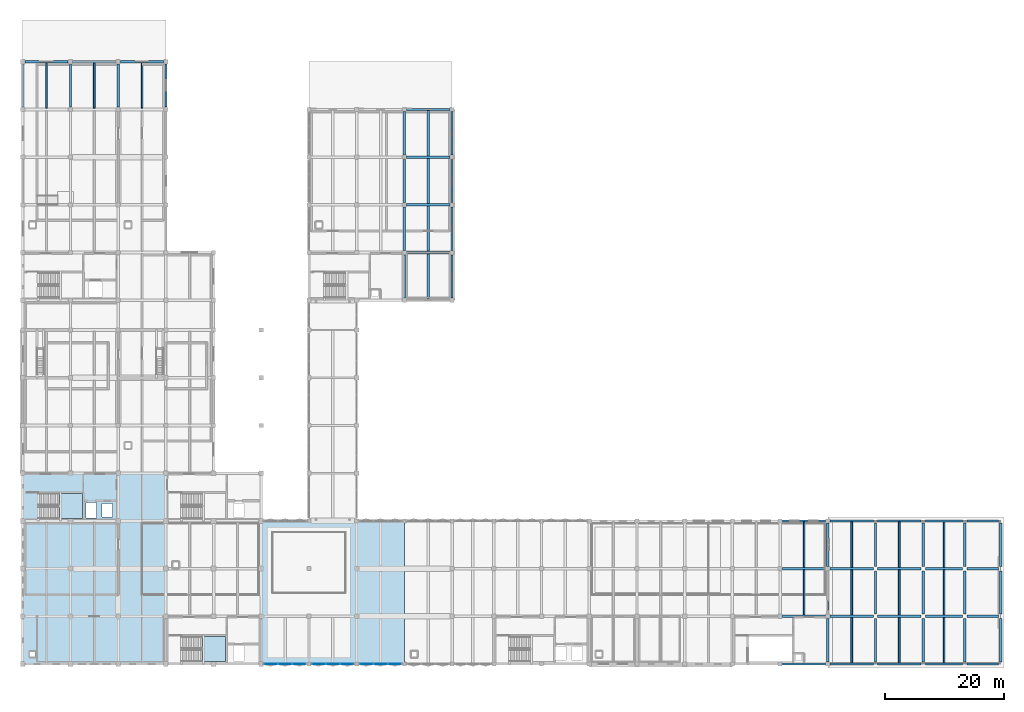
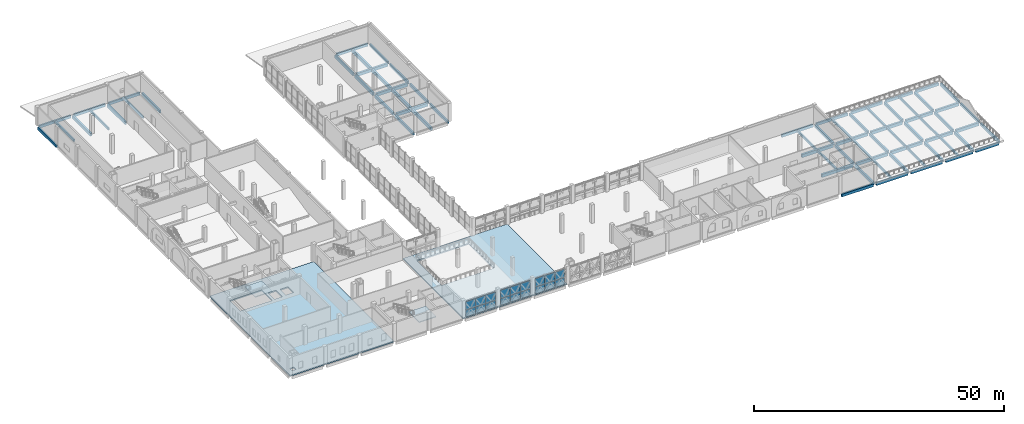
# One storey, part 19 of 45: 72 beams, 18 plates, 4 slabs, 5 elements without a shape of their own.
"""IFC4 building model written with IfcOpenShell, lengths in metres."""

from ifc_helpers import new_model, si_unit, direction, frame, origin, origin_2d, place, context, subcontext, project, spatial, polyline, rectangle, outline, extrude, material, layer, layer_set, material_profile, profile_set, type_object, element, aggregate, save


model = new_model("IFC4")

# Units and contexts
model_context = context("Model", 3, precision=1e-05, world=origin(), true_north=direction((0.0, 1.0)))
body_context = subcontext(model_context, "Body", "Model", "MODEL_VIEW")
ifc_project = project(units=[si_unit("LENGTHUNIT", "METRE"), si_unit("AREAUNIT", "SQUARE_METRE"), si_unit("VOLUMEUNIT", "CUBIC_METRE"), si_unit("PLANEANGLEUNIT", "RADIAN"), si_unit("MASSUNIT", "GRAM", prefix="KILO")], contexts=[model_context])

# Site, building, storey
site_placement = place(None, origin())
site = spatial("IfcSite", under=ifc_project, at=site_placement, CompositionType="ELEMENT")
building_placement = place(site_placement, origin())
building = spatial("IfcBuilding", under=site, at=building_placement, Name="Qorikala Patio Media Centre", CompositionType="ELEMENT")
storey_placement = place(building_placement, frame((0.0, 0.0, 9.89990234375)))
storey = spatial("IfcBuildingStorey", under=building, at=storey_placement, Name="L02", CompositionType="ELEMENT", Elevation=9.89990234375)

# Beams
ifc_material_1 = material(Name="Concrete C35/45", Category="concrete")
ifc_material_profile_1 = material_profile(ifc_material_1, rectangle(XDim=0.39990234375, YDim=0.699951171875, at=origin_2d()), Name="RC 400x700")
ifc_profile_set_1 = profile_set([ifc_material_profile_1], Name="Concrete C35/45")
beam_type_1 = type_object("IfcBeamType", Name="BM-G400X700", PredefinedType="BEAM", material=ifc_profile_set_1)
for number, where, z_axis, x_axis, name in (
    (1, (11.0, 96.375, -0.64990234375), (0.0, 1.0, 0.0), (-1.0, 0.0, 0.0), "L02 Grid X=11 Beam 0911"),
    (2, (19.0, 96.375, -0.64990234375), (0.0, 1.0, 0.0), (-1.0, 0.0, 0.0), "L02 Grid X=19 Beam 0921"),
    (3, (67.0, 64.375, -0.64990234375), (0.0, 1.0, 0.0), (-1.0, 0.0, 0.0), "L02 Grid X=67 Beam 0967"),
    (4, (67.0, 72.375, -0.64990234375), (0.0, 1.0, 0.0), (-1.0, 0.0, 0.0), "L02 Grid X=67 Beam 0968"),
    (5, (67.0, 80.375, -0.64990234375), (0.0, 1.0, 0.0), (-1.0, 0.0, 0.0), "L02 Grid X=67 Beam 0969"),
    (6, (67.0, 88.375, -0.64990234375), (0.0, 1.0, 0.0), (-1.0, 0.0, 0.0), "L02 Grid X=67 Beam 0970"),
    (7, (138.0, 3.375, -0.64990234375), (0.0, 1.0, 0.0), (-1.0, 0.0, 0.0), "L02 Grid X=138 Beam 0997"),
    (8, (138.0, 11.375, -0.64990234375), (0.0, 1.0, 0.0), (-1.0, 0.0, 0.0), "L02 Grid X=138 Beam 0998"),
    (9, (138.0, 19.375, -0.64990234375), (0.0, 1.0, 0.0), (-1.0, 0.0, 0.0), "L02 Grid X=138 Beam 0999"),
    (10, (146.0, 3.375, -0.64990234375), (0.0, 1.0, 0.0), (-1.0, 0.0, 0.0), "L02 Grid X=146 Beam 1000"),
    (11, (146.0, 11.375, -0.64990234375), (0.0, 1.0, 0.0), (-1.0, 0.0, 0.0), "L02 Grid X=146 Beam 1001"),
    (12, (146.0, 19.375, -0.64990234375), (0.0, 1.0, 0.0), (-1.0, 0.0, 0.0), "L02 Grid X=146 Beam 1002"),
    (13, (154.0, 3.375, -0.64990234375), (0.0, 1.0, 0.0), (-1.0, 0.0, 0.0), "L02 Grid X=154 Beam 1003"),
    (14, (154.0, 11.375, -0.64990234375), (0.0, 1.0, 0.0), (-1.0, 0.0, 0.0), "L02 Grid X=154 Beam 1004"),
    (15, (154.0, 19.375, -0.64990234375), (0.0, 1.0, 0.0), (-1.0, 0.0, 0.0), "L02 Grid X=154 Beam 1005"),
    (16, (161.0, 3.375, -0.64990234375), (0.0, 1.0, 0.0), (-1.0, 0.0, 0.0), "L02 Grid X=161 Beam 1006"),
    (17, (161.0, 11.375, -0.64990234375), (0.0, 1.0, 0.0), (-1.0, 0.0, 0.0), "L02 Grid X=161 Beam 1007"),
    (18, (161.0, 19.375, -0.64990234375), (0.0, 1.0, 0.0), (-1.0, 0.0, 0.0), "L02 Grid X=161 Beam 1008"),
):
    element("IfcBeam", number, at=place(storey_placement, frame(where, z_axis=z_axis, x_axis=x_axis)), inside=storey, type_object=beam_type_1, Name=name, PredefinedType="BEAM", context=body_context, shape_type="SweptSolid", body=[
        extrude(rectangle(XDim=0.39990234375, YDim=0.699951171875, at=origin_2d()), origin(), (0.0, 0.0, 1.0), 7.25),
    ])
ifc_material_profile_2 = material_profile(ifc_material_1, rectangle(XDim=0.449951171875, YDim=0.75, at=origin_2d()), Name="RC 450x750")
ifc_profile_set_2 = profile_set([ifc_material_profile_2], Name="Concrete C35/45")
beam_type_2 = type_object("IfcBeamType", Name="BM-G450X750", PredefinedType="BEAM", material=ifc_profile_set_2)
for number, where, z_axis, x_axis, name in (
    (19, (130.375, 11.0, -0.6748046875), (1.0, 0.0, 0.0), (0.0, 1.0, 0.0), "L02 Grid 11 Beam 0791"),
    (20, (138.375, 11.0, -0.6748046875), (1.0, 0.0, 0.0), (0.0, 1.0, 0.0), "L02 Grid 11 Beam 0792"),
    (21, (146.375, 11.0, -0.6748046875), (1.0, 0.0, 0.0), (0.0, 1.0, 0.0), "L02 Grid 11 Beam 0793"),
):
    element("IfcBeam", number, at=place(storey_placement, frame(where, z_axis=z_axis, x_axis=x_axis)), inside=storey, type_object=beam_type_2, Name=name, PredefinedType="BEAM", context=body_context, shape_type="SweptSolid", body=[
        extrude(rectangle(XDim=0.449951171875, YDim=0.75, at=origin_2d()), origin(), (0.0, 0.0, 1.0), 7.25),
    ])
beam_1_placement = place(storey_placement, frame((154.375, 11.0, -0.6748046875), z_axis=(1.0, 0.0, 0.0), x_axis=(0.0, 1.0, 0.0)))
element("IfcBeam", 22, at=beam_1_placement, inside=storey, type_object=beam_type_2, Name="L02 Grid 11 Beam 0794", PredefinedType="BEAM", context=body_context, shape_type="SweptSolid", body=[
    extrude(rectangle(XDim=0.449951171875, YDim=0.75, at=origin_2d()), origin(), (0.0, 0.0, 1.0), 6.25),
])
beam_2_placement = place(storey_placement, frame((161.375, 11.0, -0.6748046875), z_axis=(1.0, 0.0, 0.0), x_axis=(0.0, 1.0, 0.0)))
element("IfcBeam", 23, at=beam_2_placement, inside=storey, type_object=beam_type_2, Name="L02 Grid 11 Beam 0795", PredefinedType="BEAM", context=body_context, shape_type="SweptSolid", body=[
    extrude(rectangle(XDim=0.449951171875, YDim=0.75, at=origin_2d()), origin(), (0.0, 0.0, 1.0), 5.25),
])
for number, where, z_axis, x_axis, name in (
    (24, (130.375, 19.0, -0.6748046875), (1.0, 0.0, 0.0), (0.0, 1.0, 0.0), "L02 Grid 19 Beam 0808"),
    (25, (138.375, 19.0, -0.6748046875), (1.0, 0.0, 0.0), (0.0, 1.0, 0.0), "L02 Grid 19 Beam 0809"),
    (26, (146.375, 19.0, -0.6748046875), (1.0, 0.0, 0.0), (0.0, 1.0, 0.0), "L02 Grid 19 Beam 0810"),
):
    element("IfcBeam", number, at=place(storey_placement, frame(where, z_axis=z_axis, x_axis=x_axis)), inside=storey, type_object=beam_type_2, Name=name, PredefinedType="BEAM", context=body_context, shape_type="SweptSolid", body=[
        extrude(rectangle(XDim=0.449951171875, YDim=0.75, at=origin_2d()), origin(), (0.0, 0.0, 1.0), 7.25),
    ])
beam_3_placement = place(storey_placement, frame((154.375, 19.0, -0.6748046875), z_axis=(1.0, 0.0, 0.0), x_axis=(0.0, 1.0, 0.0)))
element("IfcBeam", 27, at=beam_3_placement, inside=storey, type_object=beam_type_2, Name="L02 Grid 19 Beam 0811", PredefinedType="BEAM", context=body_context, shape_type="SweptSolid", body=[
    extrude(rectangle(XDim=0.449951171875, YDim=0.75, at=origin_2d()), origin(), (0.0, 0.0, 1.0), 6.25),
])
beam_4_placement = place(storey_placement, frame((161.375, 19.0, -0.6748046875), z_axis=(1.0, 0.0, 0.0), x_axis=(0.0, 1.0, 0.0)))
element("IfcBeam", 28, at=beam_4_placement, inside=storey, type_object=beam_type_2, Name="L02 Grid 19 Beam 0812", PredefinedType="BEAM", context=body_context, shape_type="SweptSolid", body=[
    extrude(rectangle(XDim=0.449951171875, YDim=0.75, at=origin_2d()), origin(), (0.0, 0.0, 1.0), 5.25),
])
for number, where, z_axis, x_axis, name in (
    (29, (67.375, 72.0, -0.6748046875), (1.0, 0.0, 0.0), (0.0, 1.0, 0.0), "L02 Grid 72 Beam 0867"),
    (30, (67.375, 80.0, -0.6748046875), (1.0, 0.0, 0.0), (0.0, 1.0, 0.0), "L02 Grid 80 Beam 0873"),
    (31, (67.375, 88.0, -0.6748046875), (1.0, 0.0, 0.0), (0.0, 1.0, 0.0), "L02 Grid 88 Beam 0878"),
):
    element("IfcBeam", number, at=place(storey_placement, frame(where, z_axis=z_axis, x_axis=x_axis)), inside=storey, type_object=beam_type_2, Name=name, PredefinedType="BEAM", context=body_context, shape_type="SweptSolid", body=[
        extrude(rectangle(XDim=0.449951171875, YDim=0.75, at=origin_2d()), origin(), (0.0, 0.0, 1.0), 7.25),
    ])
ifc_material_profile_3 = material_profile(ifc_material_1, rectangle(XDim=0.300048828125, YDim=0.550048828125, at=origin_2d()), Name="RC 300x550")
ifc_profile_set_3 = profile_set([ifc_material_profile_3], Name="Concrete C35/45")
beam_type_3 = type_object("IfcBeamType", Name="JS-300X550", PredefinedType="JOIST", material=ifc_profile_set_3)
for number, where, z_axis, x_axis, name in (
    (32, (7.0, 96.22509765625, -0.574951171875), (0.0, 1.0, 0.0), (-1.0, 0.0, 0.0), "L02 Secondary Joist 1021"),
    (33, (15.0, 96.22509765625, -0.574951171875), (0.0, 1.0, 0.0), (-1.0, 0.0, 0.0), "L02 Secondary Joist 1031"),
    (34, (23.0, 96.22509765625, -0.574951171875), (0.0, 1.0, 0.0), (-1.0, 0.0, 0.0), "L02 Secondary Joist 1043"),
):
    element("IfcBeam", number, at=place(storey_placement, frame(where, z_axis=z_axis, x_axis=x_axis)), inside=storey, type_object=beam_type_3, Name=name, PredefinedType="JOIST", context=body_context, shape_type="SweptSolid", body=[
        extrude(rectangle(XDim=0.300048828125, YDim=0.550048828125, at=origin_2d()), origin(), (0.0, 0.0, 1.0), 7.599853515625),
    ])
beam_5_placement = place(storey_placement, frame((134.0, 11.22509765625, -0.574951171875), z_axis=(0.0, 1.0, 0.0), x_axis=(-1.0, 0.0, 0.0)))
element("IfcBeam", 35, at=beam_5_placement, inside=storey, type_object=beam_type_3, Name="L02 Secondary Joist 1092", PredefinedType="JOIST", context=body_context, shape_type="SweptSolid", body=[
    extrude(rectangle(XDim=0.300048828125, YDim=0.550048828125, at=origin_2d()), origin(), (0.0, 0.0, 1.0), 7.5498046875),
])
for number, where, z_axis, x_axis, name in (
    (36, (134.0, 19.22509765625, -0.574951171875), (0.0, 1.0, 0.0), (-1.0, 0.0, 0.0), "L02 Secondary Joist 1093"),
    (37, (142.0, 3.175048828125, -0.574951171875), (0.0, 1.0, 0.0), (-1.0, 0.0, 0.0), "L02 Secondary Joist 1094"),
):
    element("IfcBeam", number, at=place(storey_placement, frame(where, z_axis=z_axis, x_axis=x_axis)), inside=storey, type_object=beam_type_3, Name=name, PredefinedType="JOIST", context=body_context, shape_type="SweptSolid", body=[
        extrude(rectangle(XDim=0.300048828125, YDim=0.550048828125, at=origin_2d()), origin(), (0.0, 0.0, 1.0), 7.599853515625),
    ])
beam_6_placement = place(storey_placement, frame((142.0, 11.22509765625, -0.574951171875), z_axis=(0.0, 1.0, 0.0), x_axis=(-1.0, 0.0, 0.0)))
element("IfcBeam", 38, at=beam_6_placement, inside=storey, type_object=beam_type_3, Name="L02 Secondary Joist 1095", PredefinedType="JOIST", context=body_context, shape_type="SweptSolid", body=[
    extrude(rectangle(XDim=0.300048828125, YDim=0.550048828125, at=origin_2d()), origin(), (0.0, 0.0, 1.0), 7.5498046875),
])
for number, where, z_axis, x_axis, name in (
    (39, (142.0, 19.22509765625, -0.574951171875), (0.0, 1.0, 0.0), (-1.0, 0.0, 0.0), "L02 Secondary Joist 1096"),
    (40, (150.0, 3.175048828125, -0.574951171875), (0.0, 1.0, 0.0), (-1.0, 0.0, 0.0), "L02 Secondary Joist 1097"),
):
    element("IfcBeam", number, at=place(storey_placement, frame(where, z_axis=z_axis, x_axis=x_axis)), inside=storey, type_object=beam_type_3, Name=name, PredefinedType="JOIST", context=body_context, shape_type="SweptSolid", body=[
        extrude(rectangle(XDim=0.300048828125, YDim=0.550048828125, at=origin_2d()), origin(), (0.0, 0.0, 1.0), 7.599853515625),
    ])
beam_7_placement = place(storey_placement, frame((150.0, 11.22509765625, -0.574951171875), z_axis=(0.0, 1.0, 0.0), x_axis=(-1.0, 0.0, 0.0)))
element("IfcBeam", 41, at=beam_7_placement, inside=storey, type_object=beam_type_3, Name="L02 Secondary Joist 1098", PredefinedType="JOIST", context=body_context, shape_type="SweptSolid", body=[
    extrude(rectangle(XDim=0.300048828125, YDim=0.550048828125, at=origin_2d()), origin(), (0.0, 0.0, 1.0), 7.5498046875),
])
for number, where, z_axis, x_axis, name in (
    (42, (150.0, 19.22509765625, -0.574951171875), (0.0, 1.0, 0.0), (-1.0, 0.0, 0.0), "L02 Secondary Joist 1099"),
    (43, (157.5, 3.175048828125, -0.574951171875), (0.0, 1.0, 0.0), (-1.0, 0.0, 0.0), "L02 Secondary Joist 1100"),
):
    element("IfcBeam", number, at=place(storey_placement, frame(where, z_axis=z_axis, x_axis=x_axis)), inside=storey, type_object=beam_type_3, Name=name, PredefinedType="JOIST", context=body_context, shape_type="SweptSolid", body=[
        extrude(rectangle(XDim=0.300048828125, YDim=0.550048828125, at=origin_2d()), origin(), (0.0, 0.0, 1.0), 7.599853515625),
    ])
beam_8_placement = place(storey_placement, frame((157.5, 11.22509765625, -0.574951171875), z_axis=(0.0, 1.0, 0.0), x_axis=(-1.0, 0.0, 0.0)))
element("IfcBeam", 44, at=beam_8_placement, inside=storey, type_object=beam_type_3, Name="L02 Secondary Joist 1101", PredefinedType="JOIST", context=body_context, shape_type="SweptSolid", body=[
    extrude(rectangle(XDim=0.300048828125, YDim=0.550048828125, at=origin_2d()), origin(), (0.0, 0.0, 1.0), 7.5498046875),
])
beam_9_placement = place(storey_placement, frame((157.5, 19.22509765625, -0.574951171875), z_axis=(0.0, 1.0, 0.0), x_axis=(-1.0, 0.0, 0.0)))
element("IfcBeam", 45, at=beam_9_placement, inside=storey, type_object=beam_type_3, Name="L02 Secondary Joist 1102", PredefinedType="JOIST", context=body_context, shape_type="SweptSolid", body=[
    extrude(rectangle(XDim=0.300048828125, YDim=0.550048828125, at=origin_2d()), origin(), (0.0, 0.0, 1.0), 7.599853515625),
])
ifc_material_profile_4 = material_profile(ifc_material_1, rectangle(XDim=0.35009765625, YDim=0.679931640625, at=origin_2d()), Name="RC 350x680")
ifc_profile_set_4 = profile_set([ifc_material_profile_4], Name="Concrete C35/45")
beam_type_4 = type_object("IfcBeamType", Name="SP-350X680", PredefinedType="SPANDREL", material=ifc_profile_set_4)
for number, where, z_axis, x_axis, name in (
    (46, (130.375, 3.0, -0.639892578125), (1.0, 0.0, 0.0), (0.0, 1.0, 0.0), "L02 Grid 3 Beam 0771"),
    (47, (138.375, 3.0, -0.639892578125), (1.0, 0.0, 0.0), (0.0, 1.0, 0.0), "L02 Grid 3 Beam 0772"),
    (48, (146.375, 3.0, -0.639892578125), (1.0, 0.0, 0.0), (0.0, 1.0, 0.0), "L02 Grid 3 Beam 0773"),
):
    element("IfcBeam", number, at=place(storey_placement, frame(where, z_axis=z_axis, x_axis=x_axis)), inside=storey, type_object=beam_type_4, Name=name, PredefinedType="SPANDREL", context=body_context, shape_type="SweptSolid", body=[
        extrude(rectangle(XDim=0.35009765625, YDim=0.679931640625, at=origin_2d()), origin(), (0.0, 0.0, 1.0), 7.25),
    ])
beam_10_placement = place(storey_placement, frame((154.375, 3.0, -0.639892578125), z_axis=(1.0, 0.0, 0.0), x_axis=(0.0, 1.0, 0.0)))
element("IfcBeam", 49, at=beam_10_placement, inside=storey, type_object=beam_type_4, Name="L02 Grid 3 Beam 0774", PredefinedType="SPANDREL", context=body_context, shape_type="SweptSolid", body=[
    extrude(rectangle(XDim=0.35009765625, YDim=0.679931640625, at=origin_2d()), origin(), (0.0, 0.0, 1.0), 6.25),
])
beam_11_placement = place(storey_placement, frame((161.375, 3.0, -0.639892578125), z_axis=(1.0, 0.0, 0.0), x_axis=(0.0, 1.0, 0.0)))
element("IfcBeam", 50, at=beam_11_placement, inside=storey, type_object=beam_type_4, Name="L02 Grid 3 Beam 0775", PredefinedType="SPANDREL", context=body_context, shape_type="SweptSolid", body=[
    extrude(rectangle(XDim=0.35009765625, YDim=0.679931640625, at=origin_2d()), origin(), (0.0, 0.0, 1.0), 5.25),
])
for number, where, z_axis, x_axis, name in (
    (51, (130.375, 27.0, -0.639892578125), (1.0, 0.0, 0.0), (0.0, 1.0, 0.0), "L02 Grid 27 Beam 0829"),
    (52, (138.375, 27.0, -0.639892578125), (1.0, 0.0, 0.0), (0.0, 1.0, 0.0), "L02 Grid 27 Beam 0830"),
    (53, (146.375, 27.0, -0.639892578125), (1.0, 0.0, 0.0), (0.0, 1.0, 0.0), "L02 Grid 27 Beam 0831"),
):
    element("IfcBeam", number, at=place(storey_placement, frame(where, z_axis=z_axis, x_axis=x_axis)), inside=storey, type_object=beam_type_4, Name=name, PredefinedType="SPANDREL", context=body_context, shape_type="SweptSolid", body=[
        extrude(rectangle(XDim=0.35009765625, YDim=0.679931640625, at=origin_2d()), origin(), (0.0, 0.0, 1.0), 7.25),
    ])
beam_12_placement = place(storey_placement, frame((154.375, 27.0, -0.639892578125), z_axis=(1.0, 0.0, 0.0), x_axis=(0.0, 1.0, 0.0)))
element("IfcBeam", 54, at=beam_12_placement, inside=storey, type_object=beam_type_4, Name="L02 Grid 27 Beam 0832", PredefinedType="SPANDREL", context=body_context, shape_type="SweptSolid", body=[
    extrude(rectangle(XDim=0.35009765625, YDim=0.679931640625, at=origin_2d()), origin(), (0.0, 0.0, 1.0), 6.25),
])
beam_13_placement = place(storey_placement, frame((161.375, 27.0, -0.639892578125), z_axis=(1.0, 0.0, 0.0), x_axis=(0.0, 1.0, 0.0)))
element("IfcBeam", 55, at=beam_13_placement, inside=storey, type_object=beam_type_4, Name="L02 Grid 27 Beam 0833", PredefinedType="SPANDREL", context=body_context, shape_type="SweptSolid", body=[
    extrude(rectangle(XDim=0.35009765625, YDim=0.679931640625, at=origin_2d()), origin(), (0.0, 0.0, 1.0), 5.25),
])
for number, where, z_axis, x_axis, name in (
    (56, (67.375, 96.0, -0.639892578125), (1.0, 0.0, 0.0), (0.0, 1.0, 0.0), "L02 Grid 96 Beam 0884"),
    (57, (3.375, 104.0, -0.639892578125), (1.0, 0.0, 0.0), (0.0, 1.0, 0.0), "L02 Grid 104 Beam 0885"),
    (58, (11.375, 104.0, -0.639892578125), (1.0, 0.0, 0.0), (0.0, 1.0, 0.0), "L02 Grid 104 Beam 0886"),
    (59, (19.375, 104.0, -0.639892578125), (1.0, 0.0, 0.0), (0.0, 1.0, 0.0), "L02 Grid 104 Beam 0887"),
    (60, (3.0, 96.375, -0.639892578125), (0.0, 1.0, 0.0), (-1.0, 0.0, 0.0), "L02 Grid X=3 Beam 0900"),
    (61, (27.0, 96.375, -0.639892578125), (0.0, 1.0, 0.0), (-1.0, 0.0, 0.0), "L02 Grid X=27 Beam 0934"),
    (62, (75.0, 64.375, -0.639892578125), (0.0, 1.0, 0.0), (-1.0, 0.0, 0.0), "L02 Grid X=75 Beam 0974"),
    (63, (75.0, 72.375, -0.639892578125), (0.0, 1.0, 0.0), (-1.0, 0.0, 0.0), "L02 Grid X=75 Beam 0975"),
    (64, (75.0, 80.375, -0.639892578125), (0.0, 1.0, 0.0), (-1.0, 0.0, 0.0), "L02 Grid X=75 Beam 0976"),
    (65, (75.0, 88.375, -0.639892578125), (0.0, 1.0, 0.0), (-1.0, 0.0, 0.0), "L02 Grid X=75 Beam 0977"),
    (66, (167.0, 3.375, -0.639892578125), (0.0, 1.0, 0.0), (-1.0, 0.0, 0.0), "L02 Grid X=167 Beam 1009"),
    (67, (167.0, 11.375, -0.639892578125), (0.0, 1.0, 0.0), (-1.0, 0.0, 0.0), "L02 Grid X=167 Beam 1010"),
    (68, (167.0, 19.375, -0.639892578125), (0.0, 1.0, 0.0), (-1.0, 0.0, 0.0), "L02 Grid X=167 Beam 1011"),
):
    element("IfcBeam", number, at=place(storey_placement, frame(where, z_axis=z_axis, x_axis=x_axis)), inside=storey, type_object=beam_type_4, Name=name, PredefinedType="SPANDREL", context=body_context, shape_type="SweptSolid", body=[
        extrude(rectangle(XDim=0.35009765625, YDim=0.679931640625, at=origin_2d()), origin(), (0.0, 0.0, 1.0), 7.25),
    ])
ifc_material_profile_5 = material_profile(ifc_material_1, rectangle(XDim=0.419921875, YDim=0.780029296875, at=origin_2d()), Name="RC 420x780")
ifc_profile_set_5 = profile_set([ifc_material_profile_5], Name="Concrete C35/45")
beam_type_5 = type_object("IfcBeamType", Name="TB-420X780", PredefinedType="T_BEAM", material=ifc_profile_set_5)
beam_14_placement = place(storey_placement, frame((71.0, 64.175048828125, -0.68994140625), z_axis=(0.0, 1.0, 0.0), x_axis=(-1.0, 0.0, 0.0)))
element("IfcBeam", 69, at=beam_14_placement, inside=storey, type_object=beam_type_5, Name="L02 Secondary Joist 1070", PredefinedType="T_BEAM", context=body_context, shape_type="SweptSolid", body=[
    extrude(rectangle(XDim=0.419921875, YDim=0.780029296875, at=origin_2d()), origin(), (0.0, 0.0, 1.0), 7.599853515625),
])
for number, where, z_axis, x_axis, name in (
    (70, (71.0, 72.22509765625, -0.68994140625), (0.0, 1.0, 0.0), (-1.0, 0.0, 0.0), "L02 Secondary Joist 1071"),
    (71, (71.0, 80.22509765625, -0.68994140625), (0.0, 1.0, 0.0), (-1.0, 0.0, 0.0), "L02 Secondary Joist 1072"),
):
    element("IfcBeam", number, at=place(storey_placement, frame(where, z_axis=z_axis, x_axis=x_axis)), inside=storey, type_object=beam_type_5, Name=name, PredefinedType="T_BEAM", context=body_context, shape_type="SweptSolid", body=[
        extrude(rectangle(XDim=0.419921875, YDim=0.780029296875, at=origin_2d()), origin(), (0.0, 0.0, 1.0), 7.5498046875),
    ])
beam_15_placement = place(storey_placement, frame((71.0, 88.22509765625, -0.68994140625), z_axis=(0.0, 1.0, 0.0), x_axis=(-1.0, 0.0, 0.0)))
element("IfcBeam", 72, at=beam_15_placement, inside=storey, type_object=beam_type_5, Name="L02 Secondary Joist 1073", PredefinedType="T_BEAM", context=body_context, shape_type="SweptSolid", body=[
    extrude(rectangle(XDim=0.419921875, YDim=0.780029296875, at=origin_2d()), origin(), (0.0, 0.0, 1.0), 7.599853515625),
])

# Curtain wall, plates
ifc_material_2 = material(Name="Golden Bronze Anodised Aluminium and Low-E Glass", Category="aluminium")
ifc_layer_1 = layer(ifc_material_2, 0.159912109375)
ifc_layer_set_1 = layer_set([ifc_layer_1], Name="Golden Bronze Anodised Aluminium and Low-E Glass")
curtain_wall_type = type_object("IfcCurtainWallType", Name="CW-DIA-696X385", PredefinedType="USERDEFINED", material=ifc_layer_set_1)
curtain_wall_1_placement = place(storey_placement, origin())
curtain_wall_1 = element("IfcCurtainWall", 73, at=curtain_wall_1_placement, inside=storey, type_object=curtain_wall_type, Name="L02 Courtyard Curtain Wall 042", ObjectType="COURTYARD CURTAIN WALL", PredefinedType="USERDEFINED")
ifc_material_3 = material(Name="Solar-Control Diamond Facet Glass", Category="glass")
ifc_layer_2 = layer(ifc_material_3, 0.035888671875)
ifc_layer_set_2 = layer_set([ifc_layer_2], Name="Solar-Control Diamond Facet Glass")
plate_type = type_object("IfcPlateType", Name="CWP-36", PredefinedType="CURTAIN_PANEL", material=ifc_layer_set_2)
plate_1_placement = place(storey_placement, frame((65.3037109375, 3.0, 0.06494140625), z_axis=(0.0, 0.0, 1.0), x_axis=(-1.0, 0.0, 0.0)))
plate_1 = element("IfcPlate", 74, at=plate_1_placement, type_object=plate_type, Name="CWD696385 panel 1.1", PredefinedType="CURTAIN_PANEL", context=body_context, shape_type="SweptSolid", body=[
    extrude(rectangle(XDim=2.222412109375, YDim=0.035888671875, at=origin_2d()), origin(), (0.0, 0.0, 1.0), 1.635009765625),
])
plate_2_placement = place(storey_placement, frame((65.3037109375, 3.0, 1.76513671875), z_axis=(0.0, 0.0, 1.0), x_axis=(-1.0, 0.0, 0.0)))
plate_2 = element("IfcPlate", 75, at=plate_2_placement, type_object=plate_type, Name="CWD696385 panel 1.2", PredefinedType="CURTAIN_PANEL", context=body_context, shape_type="SweptSolid", body=[
    extrude(rectangle(XDim=2.222412109375, YDim=0.035888671875, at=origin_2d()), origin(), (0.0, 0.0, 1.0), 2.02001953125),
])
plate_3_placement = place(storey_placement, frame((63.0, 3.0, 0.06494140625), z_axis=(0.0, 0.0, 1.0), x_axis=(-1.0, 0.0, 0.0)))
plate_3 = element("IfcPlate", 76, at=plate_3_placement, type_object=plate_type, Name="CWD696385 panel 2.1", PredefinedType="CURTAIN_PANEL", context=body_context, shape_type="SweptSolid", body=[
    extrude(rectangle(XDim=2.2548828125, YDim=0.035888671875, at=origin_2d()), origin(), (0.0, 0.0, 1.0), 1.635009765625),
])
plate_4_placement = place(storey_placement, frame((63.0, 3.0, 1.76513671875), z_axis=(0.0, 0.0, 1.0), x_axis=(-1.0, 0.0, 0.0)))
plate_4 = element("IfcPlate", 77, at=plate_4_placement, type_object=plate_type, Name="CWD696385 panel 2.2", PredefinedType="CURTAIN_PANEL", context=body_context, shape_type="SweptSolid", body=[
    extrude(rectangle(XDim=2.2548828125, YDim=0.035888671875, at=origin_2d()), origin(), (0.0, 0.0, 1.0), 2.02001953125),
])
plate_5_placement = place(storey_placement, frame((60.6962890625, 3.0, 0.06494140625), z_axis=(0.0, 0.0, 1.0), x_axis=(-1.0, 0.0, 0.0)))
plate_5 = element("IfcPlate", 78, at=plate_5_placement, type_object=plate_type, Name="CWD696385 panel 3.1", PredefinedType="CURTAIN_PANEL", context=body_context, shape_type="SweptSolid", body=[
    extrude(rectangle(XDim=2.222412109375, YDim=0.035888671875, at=origin_2d()), origin(), (0.0, 0.0, 1.0), 1.635009765625),
])
plate_6_placement = place(storey_placement, frame((60.6962890625, 3.0, 1.76513671875), z_axis=(0.0, 0.0, 1.0), x_axis=(-1.0, 0.0, 0.0)))
plate_6 = element("IfcPlate", 79, at=plate_6_placement, type_object=plate_type, Name="CWD696385 panel 3.2", PredefinedType="CURTAIN_PANEL", context=body_context, shape_type="SweptSolid", body=[
    extrude(rectangle(XDim=2.222412109375, YDim=0.035888671875, at=origin_2d()), origin(), (0.0, 0.0, 1.0), 2.02001953125),
])
aggregate(curtain_wall_1, [plate_1, plate_2, plate_3, plate_4, plate_5, plate_6])

curtain_wall_2_placement = place(storey_placement, origin())
curtain_wall_2 = element("IfcCurtainWall", 80, at=curtain_wall_2_placement, inside=storey, type_object=curtain_wall_type, Name="L02 Courtyard Curtain Wall 043", ObjectType="COURTYARD CURTAIN WALL", PredefinedType="USERDEFINED")
plate_7_placement = place(storey_placement, frame((57.3037109375, 3.0, 0.06494140625), z_axis=(0.0, 0.0, 1.0), x_axis=(-1.0, 0.0, 0.0)))
plate_7 = element("IfcPlate", 81, at=plate_7_placement, type_object=plate_type, Name="CWD696385 panel 1.1", PredefinedType="CURTAIN_PANEL", context=body_context, shape_type="SweptSolid", body=[
    extrude(rectangle(XDim=2.222412109375, YDim=0.035888671875, at=origin_2d()), origin(), (0.0, 0.0, 1.0), 1.635009765625),
])
plate_8_placement = place(storey_placement, frame((57.3037109375, 3.0, 1.76513671875), z_axis=(0.0, 0.0, 1.0), x_axis=(-1.0, 0.0, 0.0)))
plate_8 = element("IfcPlate", 82, at=plate_8_placement, type_object=plate_type, Name="CWD696385 panel 1.2", PredefinedType="CURTAIN_PANEL", context=body_context, shape_type="SweptSolid", body=[
    extrude(rectangle(XDim=2.222412109375, YDim=0.035888671875, at=origin_2d()), origin(), (0.0, 0.0, 1.0), 2.02001953125),
])
plate_9_placement = place(storey_placement, frame((55.0, 3.0, 0.06494140625), z_axis=(0.0, 0.0, 1.0), x_axis=(-1.0, 0.0, 0.0)))
plate_9 = element("IfcPlate", 83, at=plate_9_placement, type_object=plate_type, Name="CWD696385 panel 2.1", PredefinedType="CURTAIN_PANEL", context=body_context, shape_type="SweptSolid", body=[
    extrude(rectangle(XDim=2.2548828125, YDim=0.035888671875, at=origin_2d()), origin(), (0.0, 0.0, 1.0), 1.635009765625),
])
plate_10_placement = place(storey_placement, frame((55.0, 3.0, 1.76513671875), z_axis=(0.0, 0.0, 1.0), x_axis=(-1.0, 0.0, 0.0)))
plate_10 = element("IfcPlate", 84, at=plate_10_placement, type_object=plate_type, Name="CWD696385 panel 2.2", PredefinedType="CURTAIN_PANEL", context=body_context, shape_type="SweptSolid", body=[
    extrude(rectangle(XDim=2.2548828125, YDim=0.035888671875, at=origin_2d()), origin(), (0.0, 0.0, 1.0), 2.02001953125),
])
plate_11_placement = place(storey_placement, frame((52.6962890625, 3.0, 0.06494140625), z_axis=(0.0, 0.0, 1.0), x_axis=(-1.0, 0.0, 0.0)))
plate_11 = element("IfcPlate", 85, at=plate_11_placement, type_object=plate_type, Name="CWD696385 panel 3.1", PredefinedType="CURTAIN_PANEL", context=body_context, shape_type="SweptSolid", body=[
    extrude(rectangle(XDim=2.222412109375, YDim=0.035888671875, at=origin_2d()), origin(), (0.0, 0.0, 1.0), 1.635009765625),
])
plate_12_placement = place(storey_placement, frame((52.6962890625, 3.0, 1.76513671875), z_axis=(0.0, 0.0, 1.0), x_axis=(-1.0, 0.0, 0.0)))
plate_12 = element("IfcPlate", 86, at=plate_12_placement, type_object=plate_type, Name="CWD696385 panel 3.2", PredefinedType="CURTAIN_PANEL", context=body_context, shape_type="SweptSolid", body=[
    extrude(rectangle(XDim=2.222412109375, YDim=0.035888671875, at=origin_2d()), origin(), (0.0, 0.0, 1.0), 2.02001953125),
])
aggregate(curtain_wall_2, [plate_7, plate_8, plate_9, plate_10, plate_11, plate_12])

curtain_wall_3_placement = place(storey_placement, origin())
curtain_wall_3 = element("IfcCurtainWall", 87, at=curtain_wall_3_placement, inside=storey, type_object=curtain_wall_type, Name="L02 Courtyard Curtain Wall 044", ObjectType="COURTYARD CURTAIN WALL", PredefinedType="USERDEFINED")
plate_13_placement = place(storey_placement, frame((49.3037109375, 3.0, 0.06494140625), z_axis=(0.0, 0.0, 1.0), x_axis=(-1.0, 0.0, 0.0)))
plate_13 = element("IfcPlate", 88, at=plate_13_placement, type_object=plate_type, Name="CWD696385 panel 1.1", PredefinedType="CURTAIN_PANEL", context=body_context, shape_type="SweptSolid", body=[
    extrude(rectangle(XDim=2.222412109375, YDim=0.035888671875, at=origin_2d()), origin(), (0.0, 0.0, 1.0), 1.635009765625),
])
plate_14_placement = place(storey_placement, frame((49.3037109375, 3.0, 1.76513671875), z_axis=(0.0, 0.0, 1.0), x_axis=(-1.0, 0.0, 0.0)))
plate_14 = element("IfcPlate", 89, at=plate_14_placement, type_object=plate_type, Name="CWD696385 panel 1.2", PredefinedType="CURTAIN_PANEL", context=body_context, shape_type="SweptSolid", body=[
    extrude(rectangle(XDim=2.222412109375, YDim=0.035888671875, at=origin_2d()), origin(), (0.0, 0.0, 1.0), 2.02001953125),
])
plate_15_placement = place(storey_placement, frame((47.0, 3.0, 0.06494140625), z_axis=(0.0, 0.0, 1.0), x_axis=(-1.0, 0.0, 0.0)))
plate_15 = element("IfcPlate", 90, at=plate_15_placement, type_object=plate_type, Name="CWD696385 panel 2.1", PredefinedType="CURTAIN_PANEL", context=body_context, shape_type="SweptSolid", body=[
    extrude(rectangle(XDim=2.2548828125, YDim=0.035888671875, at=origin_2d()), origin(), (0.0, 0.0, 1.0), 1.635009765625),
])
plate_16_placement = place(storey_placement, frame((47.0, 3.0, 1.76513671875), z_axis=(0.0, 0.0, 1.0), x_axis=(-1.0, 0.0, 0.0)))
plate_16 = element("IfcPlate", 91, at=plate_16_placement, type_object=plate_type, Name="CWD696385 panel 2.2", PredefinedType="CURTAIN_PANEL", context=body_context, shape_type="SweptSolid", body=[
    extrude(rectangle(XDim=2.2548828125, YDim=0.035888671875, at=origin_2d()), origin(), (0.0, 0.0, 1.0), 2.02001953125),
])
plate_17_placement = place(storey_placement, frame((44.6962890625, 3.0, 0.06494140625), z_axis=(0.0, 0.0, 1.0), x_axis=(-1.0, 0.0, 0.0)))
plate_17 = element("IfcPlate", 92, at=plate_17_placement, type_object=plate_type, Name="CWD696385 panel 3.1", PredefinedType="CURTAIN_PANEL", context=body_context, shape_type="SweptSolid", body=[
    extrude(rectangle(XDim=2.222412109375, YDim=0.035888671875, at=origin_2d()), origin(), (0.0, 0.0, 1.0), 1.635009765625),
])
plate_18_placement = place(storey_placement, frame((44.6962890625, 3.0, 1.76513671875), z_axis=(0.0, 0.0, 1.0), x_axis=(-1.0, 0.0, 0.0)))
plate_18 = element("IfcPlate", 93, at=plate_18_placement, type_object=plate_type, Name="CWD696385 panel 3.2", PredefinedType="CURTAIN_PANEL", context=body_context, shape_type="SweptSolid", body=[
    extrude(rectangle(XDim=2.222412109375, YDim=0.035888671875, at=origin_2d()), origin(), (0.0, 0.0, 1.0), 2.02001953125),
])
aggregate(curtain_wall_3, [plate_13, plate_14, plate_15, plate_16, plate_17, plate_18])

# Slabs
ifc_layer_3 = layer(ifc_material_1, 0.300048828125)
ifc_layer_set_3 = layer_set([ifc_layer_3], Name="Concrete C35/45")
slab_type_1 = type_object("IfcSlabType", Name="SL-FLOOR-300", PredefinedType="FLOOR", material=ifc_layer_set_3)
slab_1_placement = place(storey_placement, frame((0.0, 0.0, -0.2998046875)))
element("IfcSlab", 94, at=slab_1_placement, inside=storey, type_object=slab_type_1, Name="L02 V1A Slab 1.1", PredefinedType="FLOOR", context=body_context, shape_type="SweptSolid", body=[
    extrude(outline(polyline([(3.0, 35.0), (27.0, 35.0), (27.0, 3.0), (3.0, 3.0), (3.0, 35.0)]), holes=[polyline([(5.10009765625, 4.199951171875), (5.10009765625, 5.10009765625), (4.199951171875, 5.10009765625), (4.199951171875, 4.199951171875), (5.10009765625, 4.199951171875)]), polyline([(13.6201171875, 27.52001953125), (15.3798828125, 27.52001953125), (15.3798828125, 30.080078125), (13.6201171875, 30.080078125), (13.6201171875, 27.52001953125)]), polyline([(16.320068359375, 27.669921875), (18.080078125, 27.669921875), (18.080078125, 29.929931640625), (16.320068359375, 29.929931640625), (16.320068359375, 27.669921875)]), polyline([(13.0, 27.39990234375), (13.0, 31.60009765625), (5.60009765625, 31.60009765625), (5.60009765625, 27.39990234375), (13.0, 27.39990234375)])]), origin(), (0.0, 0.0, 1.0), 0.2998046875),
])
slab_2_placement = place(storey_placement, frame((0.0, 0.0, -0.2998046875)))
element("IfcSlab", 95, at=slab_2_placement, inside=storey, type_object=slab_type_1, Name="L02 V2A Slab 3.1", PredefinedType="FLOOR", context=body_context, shape_type="SweptSolid", body=[
    extrude(outline(polyline([(67.0, 3.0), (43.0, 3.0), (43.0, 27.0), (67.0, 27.0), (67.0, 3.0)]), holes=[polyline([(57.0, 15.0), (57.0, 25.0), (45.0, 25.0), (45.0, 15.0), (57.0, 15.0)])]), origin(), (0.0, 0.0, 1.0), 0.2998046875),
])

# Stair, slab
ifc_material_4 = material(Name="Precast concrete C40/50", Category="concrete")
stair_type = type_object("IfcStairType", Name="ST-DL-26R173W200", PredefinedType="HALF_TURN_STAIR", material=ifc_material_4)
stair_1_placement = place(storey_placement, origin())
stair_1 = element("IfcStair", 96, at=stair_1_placement, inside=storey, type_object=stair_type, Name="L02 Core C1 Exit Stair ST-1", PredefinedType="HALF_TURN_STAIR")
ifc_layer_4 = layer(ifc_material_4, 0.199951171875)
ifc_layer_set_4 = layer_set([ifc_layer_4], Name="Precast concrete C40/50")
slab_type_2 = type_object("IfcSlabType", Name="SL-LAND-200", PredefinedType="LANDING", material=ifc_layer_set_4)
slab_3_placement = place(storey_placement, frame((0.0, 0.0, 2.050048828125)))
slab_3 = element("IfcSlab", 97, at=slab_3_placement, type_object=slab_type_2, Name="ST-1 landing 1", PredefinedType="LANDING", context=body_context, shape_type="SweptSolid", body=[
    extrude(outline(polyline([(33.080078125, 3.39990234375), (37.0, 3.39990234375), (37.0, 7.60009765625), (33.080078125, 7.60009765625), (33.080078125, 3.39990234375)])), origin(), (0.0, 0.0, 1.0), 0.199951171875),
])
aggregate(stair_1, [slab_3])

stair_2_placement = place(storey_placement, origin())
stair_2 = element("IfcStair", 98, at=stair_2_placement, inside=storey, type_object=stair_type, Name="L02 Core C2 Exit Stair ST-2", PredefinedType="HALF_TURN_STAIR")
slab_4_placement = place(storey_placement, frame((0.0, 0.0, 2.050048828125)))
slab_4 = element("IfcSlab", 99, at=slab_4_placement, type_object=slab_type_2, Name="ST-2 landing 1", PredefinedType="LANDING", context=body_context, shape_type="SweptSolid", body=[
    extrude(outline(polyline([(9.080078125, 27.39990234375), (13.0, 27.39990234375), (13.0, 31.60009765625), (9.080078125, 31.60009765625), (9.080078125, 27.39990234375)])), origin(), (0.0, 0.0, 1.0), 0.199951171875),
])
aggregate(stair_2, [slab_4])

save(model, "model.ifc")
